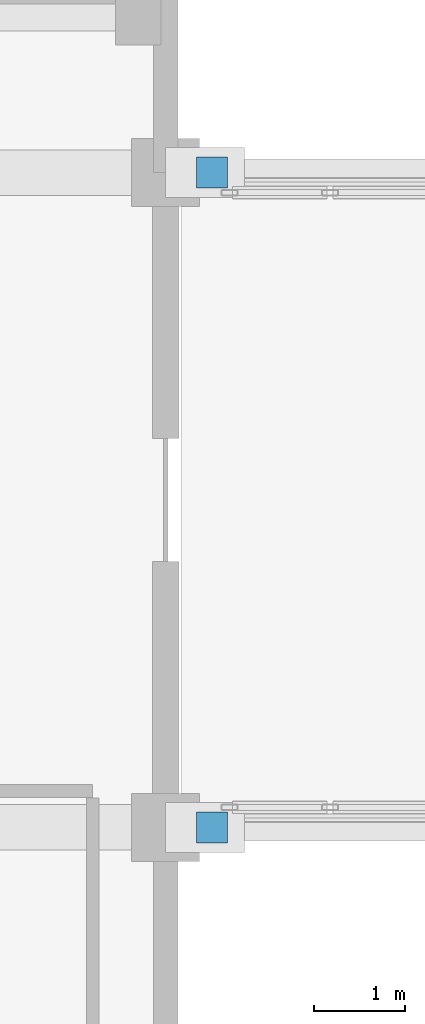
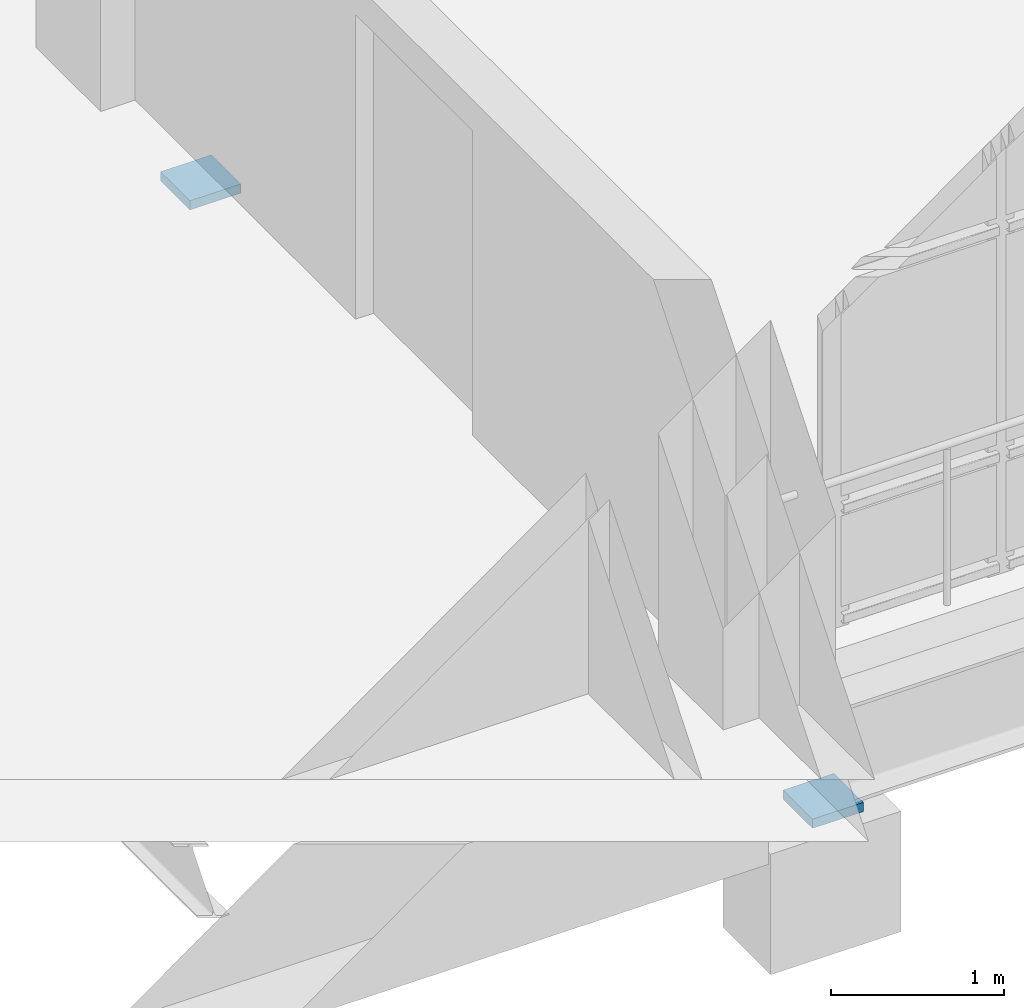
# One storey, part 96 of 106: 2 discrete accessories.
"""IFC4 building model written with IfcOpenShell, lengths in metres."""

import ifcopenshell
import ifcopenshell.guid

model = None  # the IFC model being written
_history = None  # IfcOwnerHistory: only IFC2X3 demands one
_inside = {}  # id of a spatial element -> (the spatial element, [elements in it])
_under = {}  # id of a project, library or spatial element -> (it, [spatial elements below it])
_declared = {}  # id of a project -> (the project, [libraries it declares])
_typed = {}  # id of a type object -> (the type object, [elements of that type])
_made_of = {}  # id of a material, layer set ... -> (it, [elements and type objects made of it])


def new_model(schema):
    """Start an empty IFC model of exactly this schema.

    Asked for "IFC4X3", IfcOpenShell would pick the latest addendum, in which some entities
    have other attributes; the version numbers below select the first issue.
    IFC2X3 requires an IfcOwnerHistory on every rooted entity: one is made here for all.
    """
    global model, _history
    if schema == "IFC4X3":
        model = ifcopenshell.file(schema_version=(4, 3, 0, 0))
    else:
        model = ifcopenshell.file(schema=schema)
    _inside.clear()
    _under.clear()
    _declared.clear()
    _typed.clear()
    _made_of.clear()
    _history = None
    if model.schema == "IFC2X3":
        org = make("IfcOrganization", Name="unknown")
        user = make(
            "IfcPersonAndOrganization",
            ThePerson=make("IfcPerson", FamilyName="unknown"),
            TheOrganization=org,
        )
        app = make(
            "IfcApplication",
            ApplicationDeveloper=org,
            Version="unknown",
            ApplicationFullName="unknown",
            ApplicationIdentifier="unknown",
        )
        _history = make(
            "IfcOwnerHistory",
            OwningUser=user,
            OwningApplication=app,
            ChangeAction="ADDED",
            CreationDate=0,
        )
    return model


def make(cls, **values):
    """One entity of the class cls with the attributes given. An attribute that is None is left unset."""
    return model.create_entity(
        cls, **{name: value for name, value in values.items() if value is not None}
    )


def rooted(cls, **values):
    """An entity with a GlobalId (a new one), such as an element, a storey or a relation."""
    return make(cls, GlobalId=ifcopenshell.guid.new(), OwnerHistory=_history, **values)


def si_unit(unit_type, name, prefix=None):
    """IfcSIUnit, for example si_unit("LENGTHUNIT", "METRE", prefix="MILLI")."""
    return make("IfcSIUnit", UnitType=unit_type, Prefix=prefix, Name=name)


def assignment(units):
    """IfcUnitAssignment: the units of a project."""
    return None if units is None else make("IfcUnitAssignment", Units=units)


def point(xyz):
    """IfcCartesianPoint."""
    return None if xyz is None else make("IfcCartesianPoint", Coordinates=xyz)


def direction(xyz):
    """IfcDirection."""
    return None if xyz is None else make("IfcDirection", DirectionRatios=xyz)


def frame(location, z_axis=None, x_axis=None):
    """IfcAxis2Placement3D, a coordinate frame: its origin and axes. An axis left out is left unset."""
    return make(
        "IfcAxis2Placement3D",
        Location=point(location),
        Axis=direction(z_axis),
        RefDirection=direction(x_axis),
    )


def frame_2d(location, x_axis=None):
    """IfcAxis2Placement2D, a coordinate frame in the plane: its origin and x axis."""
    return make(
        "IfcAxis2Placement2D", Location=point(location), RefDirection=direction(x_axis)
    )


def origin():
    """The frame at (0, 0, 0) with its axes left unset."""
    return frame((0.0, 0.0, 0.0))


def origin_2d():
    """The frame at (0, 0) in the plane with its x axis left unset."""
    return frame_2d((0.0, 0.0))


def place(relative_to, where):
    """IfcLocalPlacement: puts the frame where relative to a parent placement (None: the world)."""
    return make(
        "IfcLocalPlacement", PlacementRelTo=relative_to, RelativePlacement=where
    )


def context(
    kind, dimensions, precision=None, world=None, true_north=None, identifier=None
):
    """IfcGeometricRepresentationContext, for example the 3D "Model" context."""
    return make(
        "IfcGeometricRepresentationContext",
        ContextIdentifier=identifier,
        ContextType=kind,
        CoordinateSpaceDimension=dimensions,
        Precision=precision,
        WorldCoordinateSystem=world,
        TrueNorth=true_north,
    )


def subcontext(parent, identifier, kind, view, scale=None):
    """IfcGeometricRepresentationSubContext, for example "Body" below "Model"."""
    return make(
        "IfcGeometricRepresentationSubContext",
        ContextIdentifier=identifier,
        ContextType=kind,
        ParentContext=parent,
        TargetScale=scale,
        TargetView=view,
    )


def project(units=None, contexts=None):
    """IfcProject with its units and contexts."""
    return rooted(
        "IfcProject",
        Name="project",
        RepresentationContexts=contexts,
        UnitsInContext=assignment(units),
    )


def spatial(cls, under=None, at=None, **own):
    """A site, building, storey or space (cls), placed at a placement, below another one or the project."""
    s = rooted(cls, ObjectPlacement=at, **own)
    if under is not None:
        _under.setdefault(under.id(), (under, []))[1].append(s)
    return s


def profile(cls, at=None, kind="AREA", **sizes):
    """A parametric profile (cls). Its sizes go by their IFC names, for example OverallWidth=200.0."""
    return make(cls, ProfileType=kind, Position=at, **sizes)


def rectangle(**sizes):
    """IfcRectangleProfileDef."""
    return profile("IfcRectangleProfileDef", **sizes)


def extrude(swept, where, along, depth):
    """IfcExtrudedAreaSolid: the profile swept, set in the frame where, extruded along a direction by depth."""
    return make(
        "IfcExtrudedAreaSolid",
        SweptArea=swept,
        Position=where,
        ExtrudedDirection=direction(along),
        Depth=depth,
    )


def shape(context_of_items, identifier, shape_type, items):
    """IfcShapeRepresentation: the items that make up one representation, for example the "Body"."""
    return make(
        "IfcShapeRepresentation",
        ContextOfItems=context_of_items,
        RepresentationIdentifier=identifier,
        RepresentationType=shape_type,
        Items=items,
    )


def material(Name=None, Category=None):
    """IfcMaterial."""
    return make("IfcMaterial", Name=Name, Category=Category)


def layer(
    of_material, thickness, ventilated=None, Name=None, Category=None, Priority=None
):
    """IfcMaterialLayer: one layer of a wall or slab, of a material (None: an air gap)."""
    return make(
        "IfcMaterialLayer",
        Material=of_material,
        LayerThickness=thickness,
        IsVentilated=ventilated,
        Name=Name,
        Category=Category,
        Priority=Priority,
    )


def layer_set(layers, Name=None):
    """IfcMaterialLayerSet."""
    return make("IfcMaterialLayerSet", MaterialLayers=layers, LayerSetName=Name)


def made_of(thing, what):
    """Note that an element or type object is made of a material, layer set ...; save() writes the relation."""
    if what is not None:
        _made_of.setdefault(what.id(), (what, []))[1].append(thing)
    return thing


def type_object(cls, material=None, **own):
    """A type object (cls), such as IfcWallType, which elements share."""
    return made_of(rooted(cls, **own), material)


def element(
    cls,
    number,
    at=None,
    inside=None,
    cuts=None,
    type_object=None,
    material=None,
    context=None,
    identifier="Body",
    shape_type=None,
    held_by="IfcProductDefinitionShape",
    body=None,
    shapes=None,
    **own,
):
    """One element of the class cls, such as IfcWall. Its Tag is "e" and its number.

    at: its placement. inside: the storey or other place that contains it. cuts: it is an
    opening in that element (IfcRelVoidsElement). A single representation is given by context,
    identifier, shape_type and body (its items); several are given by shapes. held_by: the class
    of the entity that holds the representations. save() writes the other relations.
    """
    e = rooted(cls, Tag="e%d" % number, ObjectPlacement=at, **own)
    if body is not None:
        shapes = [shape(context, identifier, shape_type, body)]
    if shapes is not None:
        e.Representation = make(held_by, Representations=shapes)
    if inside is not None:
        _inside.setdefault(inside.id(), (inside, []))[1].append(e)
    if cuts is not None:
        rooted(
            "IfcRelVoidsElement", RelatingBuildingElement=cuts, RelatedOpeningElement=e
        )
    if type_object is not None:
        _typed.setdefault(type_object.id(), (type_object, []))[1].append(e)
    return made_of(e, material)


def aggregate(whole, parts):
    """IfcRelAggregates: a whole, such as a stair, and the parts it consists of."""
    return rooted("IfcRelAggregates", RelatingObject=whole, RelatedObjects=parts)


def save(model, path):
    """Write the relations noted so far, then the file.

    IfcRelAggregates (storeys below a building ...), IfcRelContainedInSpatialStructure (elements
    in a storey), IfcRelDefinesByType, IfcRelAssociatesMaterial and IfcRelDeclares: one each for
    every whole, place, type object, material and project.
    """
    for whole, parts in _under.values():
        aggregate(whole, parts)
    for where, things in _inside.values():
        rooted(
            "IfcRelContainedInSpatialStructure",
            RelatedElements=things,
            RelatingStructure=where,
        )
    for kind, things in _typed.values():
        rooted("IfcRelDefinesByType", RelatedObjects=things, RelatingType=kind)
    for what, things in _made_of.values():
        rooted("IfcRelAssociatesMaterial", RelatedObjects=things, RelatingMaterial=what)
    for by, libraries in _declared.values():
        rooted("IfcRelDeclares", RelatingContext=by, RelatedDefinitions=libraries)
    model.write(path)


model = new_model("IFC4")

# Units and contexts
model_context = context("Model", 3, precision=1e-05, world=origin(), true_north=direction((0.0, 1.0)))
body_context = subcontext(model_context, "Body", "Model", "MODEL_VIEW")
ifc_project = project(units=[si_unit("LENGTHUNIT", "METRE"), si_unit("AREAUNIT", "SQUARE_METRE"), si_unit("VOLUMEUNIT", "CUBIC_METRE"), si_unit("PLANEANGLEUNIT", "RADIAN"), si_unit("MASSUNIT", "GRAM", prefix="KILO")], contexts=[model_context])

# Site, building, storey
site_placement = place(None, origin())
site = spatial("IfcSite", under=ifc_project, at=site_placement, CompositionType="ELEMENT")
building_placement = place(site_placement, origin())
building = spatial("IfcBuilding", under=site, at=building_placement, Name="Kisaragi Civic Commons", CompositionType="ELEMENT")
storey_placement = place(building_placement, frame((0.0, 0.0, 4.800048828125)))
storey = spatial("IfcBuildingStorey", under=building, at=storey_placement, Name="L01", CompositionType="ELEMENT", Elevation=4.800048828125)

# Discrete accessories
ifc_material = material(Name="Steel SN490 (SN490B)", Category="steel")
ifc_layer = layer(ifc_material, 0.06494140625, Name="Steel SN490 (SN490B)", Category="steel")
ifc_layer_set = layer_set([ifc_layer], Name="Steel SN490 (SN490B)")
discrete_accessory_type = type_object("IfcDiscreteAccessoryType", Name="SB-01", PredefinedType="USERDEFINED", material=ifc_layer_set)
for number, where, z_axis, x_axis, name in (
    (1, (54.909912109375, 104.39990234375, -1.070068359375), (0.0, 0.0, 1.0), (1.0, 0.0, 0.0), "PTFE sliding bearing SB-01 3"),
    (2, (54.909912109375, 111.60009765625, -1.070068359375), (0.0, 0.0, 1.0), (1.0, 0.0, 0.0), "PTFE sliding bearing SB-01 4"),
):
    element("IfcDiscreteAccessory", number, at=place(storey_placement, frame(where, z_axis=z_axis, x_axis=x_axis)), inside=storey, type_object=discrete_accessory_type, Name=name, ObjectType="SLIDING BEARING", PredefinedType="USERDEFINED", context=body_context, shape_type="SweptSolid", body=[
        extrude(rectangle(XDim=0.340087890625, YDim=0.340087890625, at=origin_2d()), origin(), (0.0, 0.0, 1.0), 0.06494140625),
    ])

save(model, "model.ifc")
